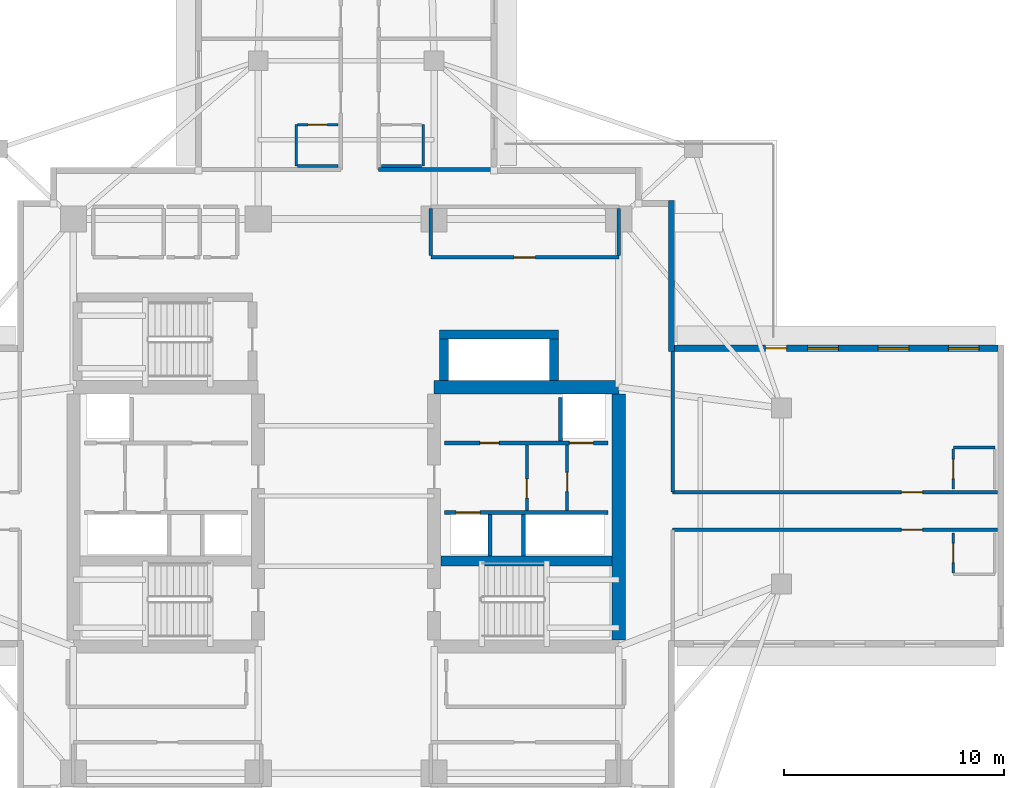
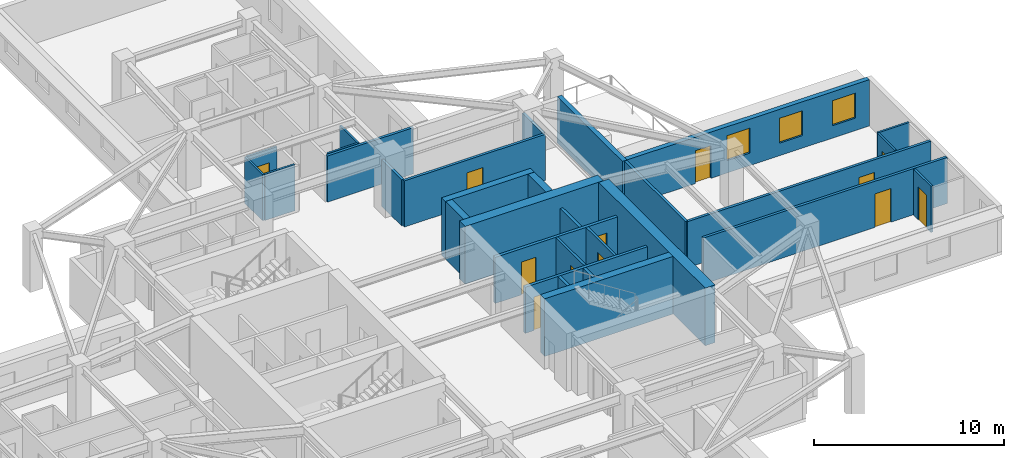
# One storey, part 6 of 13: 30 walls, 12 doors, 3 windows, 15 openings.
"""IFC4 building model written with IfcOpenShell, lengths in metres."""

from ifc_helpers import new_model, si_unit, direction, frame, frame_2d, origin, place, context, subcontext, project, spatial, rectangle, extrude, material, layer, layer_set, type_object, element, fill, save


model = new_model("IFC4")

# Units and contexts
model_context = context("Model", 3, precision=1e-05, world=origin(), true_north=direction((0.0, 1.0)))
body_context = subcontext(model_context, "Body", "Model", "MODEL_VIEW")
ifc_project = project(units=[si_unit("LENGTHUNIT", "METRE"), si_unit("AREAUNIT", "SQUARE_METRE"), si_unit("VOLUMEUNIT", "CUBIC_METRE"), si_unit("PLANEANGLEUNIT", "RADIAN"), si_unit("MASSUNIT", "GRAM", prefix="KILO")], contexts=[model_context])

# Site, building, storey
site_placement = place(None, origin())
site = spatial("IfcSite", under=ifc_project, at=site_placement, CompositionType="ELEMENT")
building_placement = place(site_placement, origin())
building = spatial("IfcBuilding", under=site, at=building_placement, Name="Qingluan Cross Belvedere", CompositionType="ELEMENT")
storey_placement = place(building_placement, frame((0.0, 0.0, 183.89990234375)))
storey = spatial("IfcBuildingStorey", under=building, at=storey_placement, Name="L46", CompositionType="ELEMENT", Elevation=183.89990234375)

# Walls
ifc_material_1 = material(Name="Concrete C50", Category="concrete")
ifc_layer_1 = layer(ifc_material_1, 0.449951171875, Name="CoreShearWall_450")
ifc_layer_set_1 = layer_set([ifc_layer_1], Name="Concrete C50")
wall_type_1 = type_object("IfcWallType", Name="CoreShearWall_450", PredefinedType="SHEAR", material=ifc_layer_set_1)
wall_1_placement = place(storey_placement, frame((4.304931640625, -2.9599609375, 0.0), z_axis=(0.0, 0.0, 1.0), x_axis=(1.0, 0.0, 0.0)))
element("IfcWall", 1, at=wall_1_placement, inside=storey, type_object=wall_type_1, Name="Split core E shear wall L46-M", PredefinedType="SHEAR", context=body_context, shape_type="SweptSolid", body=[
    extrude(rectangle(XDim=7.7900390625, YDim=0.449951171875, at=frame_2d((3.89501953125, 0.0))), origin(), (0.0, 0.0, 1.0), 3.7001953125),
])
wall_2_placement = place(storey_placement, frame((4.449951171875, 5.2548828125, 0.0), z_axis=(0.0, 0.0, 1.0), x_axis=(0.0, 1.0, 0.0)))
element("IfcWall", 2, at=wall_2_placement, inside=storey, type_object=wall_type_1, Name="Express shuttle core wall L46-W", PredefinedType="SHEAR", context=body_context, shape_type="SweptSolid", body=[
    extrude(rectangle(XDim=1.885009765625, YDim=0.39990234375, at=frame_2d((0.9423828125, 0.0))), origin(), (0.0, 0.0, 1.0), 3.7001953125),
])
wall_3_placement = place(storey_placement, frame((4.25, 7.35009765625, 0.0), z_axis=(0.0, 0.0, 1.0), x_axis=(1.0, 0.0, 0.0)))
element("IfcWall", 3, at=wall_3_placement, inside=storey, type_object=wall_type_1, Name="Express shuttle core wall L46-N", PredefinedType="SHEAR", context=body_context, shape_type="SweptSolid", body=[
    extrude(rectangle(XDim=5.39990234375, YDim=0.39990234375, at=frame_2d((2.699951171875, 0.0))), origin(), (0.0, 0.0, 1.0), 3.7001953125),
])
wall_4_placement = place(storey_placement, frame((9.449951171875, 5.2548828125, 0.0), z_axis=(0.0, 0.0, 1.0), x_axis=(0.0, 1.0, 0.0)))
element("IfcWall", 4, at=wall_4_placement, inside=storey, type_object=wall_type_1, Name="Express shuttle core wall L46-E", PredefinedType="SHEAR", context=body_context, shape_type="SweptSolid", body=[
    extrude(rectangle(XDim=1.885009765625, YDim=0.39990234375, at=frame_2d((0.9423828125, 0.0))), origin(), (0.0, 0.0, 1.0), 3.7001953125),
])
ifc_material_2 = material(Name="Concrete C60", Category="concrete")
ifc_layer_2 = layer(ifc_material_2, 0.60009765625, Name="CoreShearWall_600")
ifc_layer_set_2 = layer_set([ifc_layer_2], Name="Concrete C60")
wall_type_2 = type_object("IfcWallType", Name="CoreShearWall_600", PredefinedType="SHEAR", material=ifc_layer_set_2)
wall_5_placement = place(storey_placement, frame((4.0, 4.949951171875, 0.0), z_axis=(0.0, 0.0, 1.0), x_axis=(1.0, 0.0, 0.0)))
element("IfcWall", 5, at=wall_5_placement, inside=storey, type_object=wall_type_2, Name="Split core E shear wall L46-N", PredefinedType="SHEAR", context=body_context, shape_type="SweptSolid", body=[
    extrude(rectangle(XDim=8.39990234375, YDim=0.60009765625, at=frame_2d((4.199951171875, 0.0))), origin(), (0.0, 0.0, 1.0), 3.7001953125),
])
wall_6_placement = place(storey_placement, frame((12.39990234375, -6.544921875, 0.0), z_axis=(0.0, 0.0, 1.0), x_axis=(0.0, 1.0, 0.0)))
element("IfcWall", 6, at=wall_6_placement, inside=storey, type_object=wall_type_2, Name="Split core E shear wall L46-E", PredefinedType="SHEAR", context=body_context, shape_type="SweptSolid", body=[
    extrude(rectangle(XDim=11.18994140625, YDim=0.60009765625, at=frame_2d((5.594970703125, 0.0))), origin(), (0.0, 0.0, 1.0), 3.7001953125),
])

# Wall, opening, door
ifc_material_3 = material(Name="Gypsum plasterboard on steel stud acoustic partition", Category="steel")
ifc_layer_3 = layer(ifc_material_3, 0.159912109375, Name="CorridorPartition_160")
ifc_layer_set_3 = layer_set([ifc_layer_3], Name="Gypsum plasterboard on steel stud acoustic partition")
wall_type_3 = type_object("IfcWallType", Name="CorridorPartition_160", PredefinedType="PARTITIONING", material=ifc_layer_set_3)
wall_7_placement = place(storey_placement, frame((10.050048828125, -0.652099609375, 0.0), z_axis=(0.0, 0.0, 1.0), x_axis=(0.0, 1.0, 0.0)))
wall_7 = element("IfcWall", 7, at=wall_7_placement, inside=storey, type_object=wall_type_3, Name="Partition L46:ev", PredefinedType="PARTITIONING", context=body_context, shape_type="SweptSolid", body=[
    extrude(rectangle(XDim=2.962158203125, YDim=0.139892578125, at=frame_2d((1.48095703125, 0.0))), origin(), (0.0, 0.0, 1.0), 2.960205078125),
])
opening_1_placement = place(wall_7_placement, frame((0.85009765625, 0.0, 0.0)))
opening_1 = element("IfcOpeningElement", 8, at=opening_1_placement, cuts=wall_7, Name="Opening FD-B10", PredefinedType="OPENING", context=body_context, shape_type="SweptSolid", body=[
    extrude(rectangle(XDim=0.8798828125, YDim=2.10009765625, at=frame_2d((0.43994140625, 1.050048828125))), frame((0.0, 0.079833984375, 0.0), z_axis=(0.0, -1.0, 0.0), x_axis=(1.0, 0.0, 0.0)), (0.0, 0.0, 1.0), 0.159912109375),
])
ifc_material_4 = material(Name="Steel Class B service fire door", Category="steel")
door_type_1 = type_object("IfcDoorType", Name="RiserServiceFireDoor_FDB", OperationType="NOTDEFINED", PredefinedType="DOOR", material=ifc_material_4)
door_1_placement = place(opening_1_placement, origin())
door_1 = element("IfcDoor", 9, at=door_1_placement, inside=storey, type_object=door_type_1, Name="Service closet inner door L46", OperationType="SINGLE_SWING_RIGHT", OverallHeight=2.10009765625, OverallWidth=0.8798828125, PredefinedType="DOOR", context=body_context, shape_type="SweptSolid", body=[
    extrude(rectangle(XDim=0.8798828125, YDim=2.10009765625, at=frame_2d((0.43994140625, 1.050048828125))), frame((0.0, 0.02490234375, 0.0), z_axis=(0.0, -1.0, 0.0), x_axis=(1.0, 0.0, 0.0)), (0.0, 0.0, 1.0), 0.050048828125),
])
fill(opening_1, door_1)

wall_8_placement = place(storey_placement, frame((3.85009765625, 10.85009765625, 0.0), z_axis=(0.0, 0.0, 1.0), x_axis=(1.0, 0.0, 0.0)))
wall_8 = element("IfcWall", 10, at=wall_8_placement, inside=storey, type_object=wall_type_3, Name="Partition L46:q_ne:S", PredefinedType="PARTITIONING", context=body_context, shape_type="SweptSolid", body=[
    extrude(rectangle(XDim=8.5498046875, YDim=0.159912109375, at=frame_2d((4.27490234375, 0.0))), origin(), (0.0, 0.0, 1.0), 2.960205078125),
])
opening_2_placement = place(wall_8_placement, frame((3.794921875, 0.0, 0.0)))
opening_2 = element("IfcOpeningElement", 11, at=opening_2_placement, cuts=wall_8, Name="Opening GD-10", PredefinedType="OPENING", context=body_context, shape_type="SweptSolid", body=[
    extrude(rectangle(XDim=0.9599609375, YDim=2.14990234375, at=frame_2d((0.47998046875, 1.074951171875))), frame((0.0, 0.08984375, 0.0), z_axis=(0.0, -1.0, 0.0), x_axis=(1.0, 0.0, 0.0)), (0.0, 0.0, 1.0), 0.179931640625),
])
ifc_material_5 = material(Name="Timber oak fire-rated acoustic guestroom door", Category="wood")
door_type_2 = type_object("IfcDoorType", Name="GuestEntryDoor_FD60", OperationType="NOTDEFINED", PredefinedType="DOOR", material=ifc_material_5)
door_2_placement = place(opening_2_placement, origin())
door_2 = element("IfcDoor", 12, at=door_2_placement, inside=storey, type_object=door_type_2, Name="VIP diplomatic boardroom L46 door", OperationType="SINGLE_SWING_LEFT", OverallHeight=2.14990234375, OverallWidth=0.9599609375, PredefinedType="DOOR", context=body_context, shape_type="SweptSolid", body=[
    extrude(rectangle(XDim=0.9599609375, YDim=2.14990234375, at=frame_2d((0.47998046875, 1.074951171875))), frame((0.0, 0.02490234375, 0.0), z_axis=(0.0, -1.0, 0.0), x_axis=(1.0, 0.0, 0.0)), (0.0, 0.0, 1.0), 0.050048828125),
])
fill(opening_2, door_2)

# Walls
for number, where, z_axis, x_axis, name in (
    (13, (3.85009765625, 10.93505859375, 0.0), (0.0, 0.0, 1.0), (0.0, 1.0, 0.0), "Partition L46:q_ne:W"),
    (14, (12.39990234375, 10.93505859375, 0.0), (0.0, 0.0, 1.0), (0.0, 1.0, 0.0), "Partition L46:q_ne:E"),
):
    element("IfcWall", number, at=place(storey_placement, frame(where, z_axis=z_axis, x_axis=x_axis)), inside=storey, type_object=wall_type_3, Name=name, PredefinedType="PARTITIONING", context=body_context, shape_type="SweptSolid", body=[
        extrude(rectangle(XDim=2.1298828125, YDim=0.159912109375, at=frame_2d((1.06494140625, 0.0))), origin(), (0.0, 0.0, 1.0), 2.960205078125),
    ])

# Wall, opening, door
wall_9_placement = place(storey_placement, frame((14.85009765625, 0.179931640625, 0.0), z_axis=(0.0, 0.0, 1.0), x_axis=(1.0, 0.0, 0.0)))
wall_9 = element("IfcWall", 15, at=wall_9_placement, inside=storey, type_object=wall_type_3, Name="Partition L46:E:c0", PredefinedType="PARTITIONING", context=body_context, shape_type="SweptSolid", body=[
    extrude(rectangle(XDim=14.781982421875, YDim=0.159912109375, at=frame_2d((7.39111328125, 0.0))), origin(), (0.0, 0.0, 1.0), 2.960205078125),
])
opening_3_placement = place(wall_9_placement, frame((10.404052734375, 0.0, 0.0)))
opening_3 = element("IfcOpeningElement", 16, at=opening_3_placement, cuts=wall_9, Name="Opening GD-10", PredefinedType="OPENING", context=body_context, shape_type="SweptSolid", body=[
    extrude(rectangle(XDim=0.9599609375, YDim=2.14990234375, at=frame_2d((0.47998046875, 1.074951171875))), frame((0.0, 0.08984375, 0.0), z_axis=(0.0, -1.0, 0.0), x_axis=(1.0, 0.0, 0.0)), (0.0, 0.0, 1.0), 0.179931640625),
])
door_3_placement = place(opening_3_placement, origin())
door_3 = element("IfcDoor", 17, at=door_3_placement, inside=storey, type_object=door_type_2, Name="Guest entry fire door 4601", OperationType="SINGLE_SWING_RIGHT", OverallHeight=2.14990234375, OverallWidth=0.9599609375, PredefinedType="DOOR", context=body_context, shape_type="SweptSolid", body=[
    extrude(rectangle(XDim=0.9599609375, YDim=2.14990234375, at=frame_2d((0.47998046875, 1.074951171875))), frame((0.0, 0.02490234375, 0.0), z_axis=(0.0, -1.0, 0.0), x_axis=(1.0, 0.0, 0.0)), (0.0, 0.0, 1.0), 0.050048828125),
])
fill(opening_3, door_3)

# Wall
wall_10_placement = place(storey_placement, frame((14.85009765625, 0.179931640625, 0.0), z_axis=(0.0, 0.0, 1.0), x_axis=(0.0, 1.0, 0.0)))
element("IfcWall", 18, at=wall_10_placement, inside=storey, type_object=wall_type_3, Name="Partition L46:E:s0", PredefinedType="PARTITIONING", context=body_context, shape_type="SweptSolid", body=[
    extrude(rectangle(XDim=6.39208984375, YDim=0.159912109375, at=frame_2d((3.196044921875, 0.0))), origin(), (0.0, 0.0, 1.0), 2.960205078125),
])

# Wall, opening, door
wall_11_placement = place(storey_placement, frame((14.85009765625, -1.5400390625, 0.0), z_axis=(0.0, 0.0, 1.0), x_axis=(1.0, 0.0, 0.0)))
wall_11 = element("IfcWall", 19, at=wall_11_placement, inside=storey, type_object=wall_type_3, Name="Partition L46:E:c1", PredefinedType="PARTITIONING", context=body_context, shape_type="SweptSolid", body=[
    extrude(rectangle(XDim=14.781982421875, YDim=0.159912109375, at=frame_2d((7.39111328125, 0.0))), origin(), (0.0, 0.0, 1.0), 2.960205078125),
])
opening_4_placement = place(wall_11_placement, frame((10.404052734375, 0.0, 0.0)))
opening_4 = element("IfcOpeningElement", 20, at=opening_4_placement, cuts=wall_11, Name="Opening GD-10", PredefinedType="OPENING", context=body_context, shape_type="SweptSolid", body=[
    extrude(rectangle(XDim=0.9599609375, YDim=2.14990234375, at=frame_2d((0.47998046875, 1.074951171875))), frame((0.0, 0.08984375, 0.0), z_axis=(0.0, -1.0, 0.0), x_axis=(1.0, 0.0, 0.0)), (0.0, 0.0, 1.0), 0.179931640625),
])
door_4_placement = place(opening_4_placement, origin())
door_4 = element("IfcDoor", 21, at=door_4_placement, inside=storey, type_object=door_type_2, Name="Guest entry fire door 4602", OperationType="SINGLE_SWING_RIGHT", OverallHeight=2.14990234375, OverallWidth=0.9599609375, PredefinedType="DOOR", context=body_context, shape_type="SweptSolid", body=[
    extrude(rectangle(XDim=0.9599609375, YDim=2.14990234375, at=frame_2d((0.47998046875, 1.074951171875))), frame((0.0, 0.02490234375, 0.0), z_axis=(0.0, -1.0, 0.0), x_axis=(1.0, 0.0, 0.0)), (0.0, 0.0, 1.0), 0.050048828125),
])
fill(opening_4, door_4)

# Wall
wall_12_placement = place(storey_placement, frame((1.47998046875, 14.85009765625, 0.0), z_axis=(0.0, 0.0, 1.0), x_axis=(1.0, 0.0, 0.0)))
element("IfcWall", 22, at=wall_12_placement, inside=storey, type_object=wall_type_3, Name="Partition L46:N:s0", PredefinedType="PARTITIONING", context=body_context, shape_type="SweptSolid", body=[
    extrude(rectangle(XDim=5.239990234375, YDim=0.159912109375, at=frame_2d((2.6201171875, 0.0))), origin(), (0.0, 0.0, 1.0), 2.960205078125),
])

# Wall, opening, door
ifc_material_6 = material(Name="Moisture-resistant gypsum board lining")
ifc_layer_4 = layer(ifc_material_6, 0.1201171875, Name="EnsuiteWetPartition_120")
ifc_layer_set_4 = layer_set([ifc_layer_4], Name="Moisture-resistant gypsum board lining")
wall_type_4 = type_object("IfcWallType", Name="EnsuiteWetPartition_120", PredefinedType="PARTITIONING", material=ifc_layer_set_4)
wall_13_placement = place(storey_placement, frame((27.6201171875, 0.320068359375, 0.0), z_axis=(0.0, 0.0, 1.0), x_axis=(0.0, 1.0, 0.0)))
wall_13 = element("IfcWall", 23, at=wall_13_placement, inside=storey, type_object=wall_type_4, Name="Partition L46:E:bs0_0", PredefinedType="PARTITIONING", context=body_context, shape_type="SweptSolid", body=[
    extrude(rectangle(XDim=1.81982421875, YDim=0.1201171875, at=frame_2d((0.909912109375, 0.0))), origin(), (0.0, 0.0, 1.0), 2.960205078125),
])
opening_5_placement = place(wall_13_placement, frame((0.469970703125, 0.0, 0.0)))
opening_5 = element("IfcOpeningElement", 24, at=opening_5_placement, cuts=wall_13, Name="Opening BD-09", PredefinedType="OPENING", context=body_context, shape_type="SweptSolid", body=[
    extrude(rectangle(XDim=0.8798828125, YDim=2.10009765625, at=frame_2d((0.43994140625, 1.050048828125))), frame((0.0, 0.070068359375, 0.0), z_axis=(0.0, -1.0, 0.0), x_axis=(1.0, 0.0, 0.0)), (0.0, 0.0, 1.0), 0.14013671875),
])
ifc_material_7 = material(Name="Moisture-sealed timber en-suite door", Category="wood")
door_type_3 = type_object("IfcDoorType", Name="BathroomDoor_880", OperationType="NOTDEFINED", PredefinedType="DOOR", material=ifc_material_7)
door_5_placement = place(opening_5_placement, origin())
door_5 = element("IfcDoor", 25, at=door_5_placement, inside=storey, type_object=door_type_3, Name="Bathroom door 4601", OperationType="SINGLE_SWING_LEFT", OverallHeight=2.10009765625, OverallWidth=0.8798828125, PredefinedType="DOOR", context=body_context, shape_type="SweptSolid", body=[
    extrude(rectangle(XDim=0.8798828125, YDim=2.10009765625, at=frame_2d((0.43994140625, 1.050048828125))), frame((0.0, 0.02490234375, 0.0), z_axis=(0.0, -1.0, 0.0), x_axis=(1.0, 0.0, 0.0)), (0.0, 0.0, 1.0), 0.050048828125),
])
fill(opening_5, door_5)

# Wall
wall_14_placement = place(storey_placement, frame((27.6201171875, 2.205078125, 0.0), z_axis=(0.0, 0.0, 1.0), x_axis=(1.0, 0.0, 0.0)))
element("IfcWall", 26, at=wall_14_placement, inside=storey, type_object=wall_type_4, Name="Partition L46:E:bn0_0", PredefinedType="PARTITIONING", context=body_context, shape_type="SweptSolid", body=[
    extrude(rectangle(XDim=1.8798828125, YDim=0.1201171875, at=frame_2d((0.93994140625, 0.0))), origin(), (0.0, 0.0, 1.0), 2.960205078125),
])

# Wall, opening, door
wall_15_placement = place(storey_placement, frame((27.6201171875, -3.5, 0.0), z_axis=(0.0, 0.0, 1.0), x_axis=(0.0, 1.0, 0.0)))
wall_15 = element("IfcWall", 27, at=wall_15_placement, inside=storey, type_object=wall_type_4, Name="Partition L46:E:bs1_0", PredefinedType="PARTITIONING", context=body_context, shape_type="SweptSolid", body=[
    extrude(rectangle(XDim=1.820068359375, YDim=0.1201171875, at=frame_2d((0.91015625, 0.0))), origin(), (0.0, 0.0, 1.0), 2.960205078125),
])
opening_6_placement = place(wall_15_placement, frame((0.469970703125, 0.0, 0.0)))
opening_6 = element("IfcOpeningElement", 28, at=opening_6_placement, cuts=wall_15, Name="Opening BD-09", PredefinedType="OPENING", context=body_context, shape_type="SweptSolid", body=[
    extrude(rectangle(XDim=0.8798828125, YDim=2.10009765625, at=frame_2d((0.43994140625, 1.050048828125))), frame((0.0, 0.070068359375, 0.0), z_axis=(0.0, -1.0, 0.0), x_axis=(1.0, 0.0, 0.0)), (0.0, 0.0, 1.0), 0.14013671875),
])
door_6_placement = place(opening_6_placement, origin())
door_6 = element("IfcDoor", 29, at=door_6_placement, inside=storey, type_object=door_type_3, Name="Bathroom door 4602", OperationType="SINGLE_SWING_LEFT", OverallHeight=2.10009765625, OverallWidth=0.8798828125, PredefinedType="DOOR", context=body_context, shape_type="SweptSolid", body=[
    extrude(rectangle(XDim=0.8798828125, YDim=2.10009765625, at=frame_2d((0.43994140625, 1.050048828125))), frame((0.0, 0.02490234375, 0.0), z_axis=(0.0, -1.0, 0.0), x_axis=(1.0, 0.0, 0.0)), (0.0, 0.0, 1.0), 0.050048828125),
])
fill(opening_6, door_6)

# Walls
wall_16_placement = place(storey_placement, frame((1.6201171875, 15.010009765625, 0.0), z_axis=(0.0, 0.0, 1.0), x_axis=(1.0, 0.0, 0.0)))
element("IfcWall", 30, at=wall_16_placement, inside=storey, type_object=wall_type_4, Name="Partition L46:N:bw0_0", PredefinedType="PARTITIONING", context=body_context, shape_type="SweptSolid", body=[
    extrude(rectangle(XDim=1.81982421875, YDim=0.1201171875, at=frame_2d((0.909912109375, 0.0))), origin(), (0.0, 0.0, 1.0), 2.960205078125),
])
wall_17_placement = place(storey_placement, frame((3.5048828125, 15.010009765625, 0.0), z_axis=(0.0, 0.0, 1.0), x_axis=(0.0, 1.0, 0.0)))
element("IfcWall", 31, at=wall_17_placement, inside=storey, type_object=wall_type_4, Name="Partition L46:N:bn0_0", PredefinedType="PARTITIONING", context=body_context, shape_type="SweptSolid", body=[
    extrude(rectangle(XDim=1.8798828125, YDim=0.1201171875, at=frame_2d((0.93994140625, 0.0))), origin(), (0.0, 0.0, 1.0), 2.960205078125),
])

# Wall, opening, door
wall_18_placement = place(storey_placement, frame((-2.199951171875, 16.889892578125, 0.0), z_axis=(0.0, 0.0, 1.0), x_axis=(1.0, 0.0, 0.0)))
wall_18 = element("IfcWall", 32, at=wall_18_placement, inside=storey, type_object=wall_type_4, Name="Partition L46:N:bs1_0", PredefinedType="PARTITIONING", context=body_context, shape_type="SweptSolid", body=[
    extrude(rectangle(XDim=1.820068359375, YDim=0.1201171875, at=frame_2d((0.91015625, 0.0))), origin(), (0.0, 0.0, 1.0), 2.960205078125),
])
opening_7_placement = place(wall_18_placement, frame((0.469970703125, 0.0, 0.0)))
opening_7 = element("IfcOpeningElement", 33, at=opening_7_placement, cuts=wall_18, Name="Opening BD-09", PredefinedType="OPENING", context=body_context, shape_type="SweptSolid", body=[
    extrude(rectangle(XDim=0.8798828125, YDim=2.10009765625, at=frame_2d((0.43994140625, 1.050048828125))), frame((0.0, 0.070068359375, 0.0), z_axis=(0.0, -1.0, 0.0), x_axis=(1.0, 0.0, 0.0)), (0.0, 0.0, 1.0), 0.14013671875),
])
door_7_placement = place(opening_7_placement, origin())
door_7 = element("IfcDoor", 34, at=door_7_placement, inside=storey, type_object=door_type_3, Name="Bathroom door 4607", OperationType="SINGLE_SWING_LEFT", OverallHeight=2.10009765625, OverallWidth=0.8798828125, PredefinedType="DOOR", context=body_context, shape_type="SweptSolid", body=[
    extrude(rectangle(XDim=0.8798828125, YDim=2.10009765625, at=frame_2d((0.43994140625, 1.050048828125))), frame((0.0, 0.02490234375, 0.0), z_axis=(0.0, -1.0, 0.0), x_axis=(1.0, 0.0, 0.0)), (0.0, 0.0, 1.0), 0.050048828125),
])
fill(opening_7, door_7)

# Walls
wall_19_placement = place(storey_placement, frame((-2.199951171875, 15.010009765625, 0.0), z_axis=(0.0, 0.0, 1.0), x_axis=(1.0, 0.0, 0.0)))
element("IfcWall", 35, at=wall_19_placement, inside=storey, type_object=wall_type_4, Name="Partition L46:N:bw1_0", PredefinedType="PARTITIONING", context=body_context, shape_type="SweptSolid", body=[
    extrude(rectangle(XDim=1.820068359375, YDim=0.1201171875, at=frame_2d((0.91015625, 0.0))), origin(), (0.0, 0.0, 1.0), 2.960205078125),
])
wall_20_placement = place(storey_placement, frame((-2.264892578125, 15.010009765625, 0.0), z_axis=(0.0, 0.0, 1.0), x_axis=(0.0, 1.0, 0.0)))
element("IfcWall", 36, at=wall_20_placement, inside=storey, type_object=wall_type_4, Name="Partition L46:N:bc1_0", PredefinedType="PARTITIONING", context=body_context, shape_type="SweptSolid", body=[
    extrude(rectangle(XDim=1.8798828125, YDim=0.1201171875, at=frame_2d((0.93994140625, 0.0))), origin(), (0.0, 0.0, 1.0), 2.960205078125),
])

# Wall, openings, windows, door
ifc_material_8 = material(Name="Precast concrete C45", Category="concrete")
ifc_layer_5 = layer(ifc_material_8, 0.280029296875, Name="PrecastFacadeWall_280")
ifc_layer_set_5 = layer_set([ifc_layer_5], Name="Precast concrete C45")
wall_type_5 = type_object("IfcWallType", Name="PrecastFacadeWall_280", PredefinedType="STANDARD", material=ifc_layer_set_5)
wall_21_placement = place(storey_placement, frame((29.639892578125, 6.719970703125, 0.0), z_axis=(0.0, 0.0, 1.0), x_axis=(-1.0, 0.0, 0.0)))
wall_21 = element("IfcWall", 37, at=wall_21_placement, inside=storey, type_object=wall_type_5, Name="Facade wall L46-EB", PredefinedType="STANDARD", context=body_context, shape_type="SweptSolid", body=[
    extrude(rectangle(XDim=14.699951171875, YDim=0.280029296875, at=frame_2d((7.35009765625, 0.0))), origin(), (0.0, 0.0, 1.0), 2.97021484375),
])
opening_8_placement = place(wall_21_placement, frame((0.85009765625, 0.0, 0.800048828125)))
opening_8 = element("IfcOpeningElement", 38, at=opening_8_placement, cuts=wall_21, Name="Opening W-01", PredefinedType="OPENING", context=body_context, shape_type="SweptSolid", body=[
    extrude(rectangle(XDim=1.39990234375, YDim=1.60009765625, at=frame_2d((0.699951171875, 0.800048828125))), frame((0.0, 0.14990234375, 0.0), z_axis=(0.0, -1.0, 0.0), x_axis=(1.0, 0.0, 0.0)), (0.0, 0.0, 1.0), 0.300048828125),
])
opening_9_placement = place(wall_21_placement, frame((4.050048828125, 0.0, 0.800048828125)))
opening_9 = element("IfcOpeningElement", 39, at=opening_9_placement, cuts=wall_21, Name="Opening W-01", PredefinedType="OPENING", context=body_context, shape_type="SweptSolid", body=[
    extrude(rectangle(XDim=1.39990234375, YDim=1.60009765625, at=frame_2d((0.699951171875, 0.800048828125))), frame((0.0, 0.14990234375, 0.0), z_axis=(0.0, -1.0, 0.0), x_axis=(1.0, 0.0, 0.0)), (0.0, 0.0, 1.0), 0.300048828125),
])
opening_10_placement = place(wall_21_placement, frame((7.25, 0.0, 0.800048828125)))
opening_10 = element("IfcOpeningElement", 40, at=opening_10_placement, cuts=wall_21, Name="Opening W-01", PredefinedType="OPENING", context=body_context, shape_type="SweptSolid", body=[
    extrude(rectangle(XDim=1.39990234375, YDim=1.60009765625, at=frame_2d((0.699951171875, 0.800048828125))), frame((0.0, 0.14990234375, 0.0), z_axis=(0.0, -1.0, 0.0), x_axis=(1.0, 0.0, 0.0)), (0.0, 0.0, 1.0), 0.300048828125),
])
opening_11_placement = place(wall_21_placement, frame((9.60009765625, 0.0, 0.0)))
opening_11 = element("IfcOpeningElement", 41, at=opening_11_placement, cuts=wall_21, Name="Opening WD-10", PredefinedType="OPENING", context=body_context, shape_type="SweptSolid", body=[
    extrude(rectangle(XDim=0.9599609375, YDim=2.10009765625, at=frame_2d((0.47998046875, 1.050048828125))), frame((0.0, 0.14990234375, 0.0), z_axis=(0.0, -1.0, 0.0), x_axis=(1.0, 0.0, 0.0)), (0.0, 0.0, 1.0), 0.300048828125),
])
ifc_material_9 = material(Name="Thermally broken triple Low-E glass in aluminium frame", Category="aluminium")
window_type = type_object("IfcWindowType", Name="TriRibbonWin_1400x1600", PartitioningType="SINGLE_PANEL", PredefinedType="WINDOW", material=ifc_material_9)
window_1_placement = place(opening_8_placement, origin())
window_1 = element("IfcWindow", 42, at=window_1_placement, inside=storey, type_object=window_type, Name="Ribbon window L46-EB-1", OverallHeight=1.60009765625, OverallWidth=1.39990234375, PartitioningType="SINGLE_PANEL", PredefinedType="WINDOW", context=body_context, shape_type="SweptSolid", body=[
    extrude(rectangle(XDim=1.39990234375, YDim=1.60009765625, at=frame_2d((0.699951171875, 0.800048828125))), frame((0.0, 0.030029296875, 0.0), z_axis=(0.0, -1.0, 0.0), x_axis=(1.0, 0.0, 0.0)), (0.0, 0.0, 1.0), 0.06005859375),
])
fill(opening_8, window_1)
window_2_placement = place(opening_9_placement, origin())
window_2 = element("IfcWindow", 43, at=window_2_placement, inside=storey, type_object=window_type, Name="Ribbon window L46-EB-2", OverallHeight=1.60009765625, OverallWidth=1.39990234375, PartitioningType="SINGLE_PANEL", PredefinedType="WINDOW", context=body_context, shape_type="SweptSolid", body=[
    extrude(rectangle(XDim=1.39990234375, YDim=1.60009765625, at=frame_2d((0.699951171875, 0.800048828125))), frame((0.0, 0.030029296875, 0.0), z_axis=(0.0, -1.0, 0.0), x_axis=(1.0, 0.0, 0.0)), (0.0, 0.0, 1.0), 0.06005859375),
])
fill(opening_9, window_2)
window_3_placement = place(opening_10_placement, origin())
window_3 = element("IfcWindow", 44, at=window_3_placement, inside=storey, type_object=window_type, Name="Ribbon window L46-EB-3", OverallHeight=1.60009765625, OverallWidth=1.39990234375, PartitioningType="SINGLE_PANEL", PredefinedType="WINDOW", context=body_context, shape_type="SweptSolid", body=[
    extrude(rectangle(XDim=1.39990234375, YDim=1.60009765625, at=frame_2d((0.699951171875, 0.800048828125))), frame((0.0, 0.030029296875, 0.0), z_axis=(0.0, -1.0, 0.0), x_axis=(1.0, 0.0, 0.0)), (0.0, 0.0, 1.0), 0.06005859375),
])
fill(opening_10, window_3)
ifc_material_10 = material(Name="Thermally broken aluminium and Low-E glass", Category="aluminium")
door_type_4 = type_object("IfcDoorType", Name="WinterGardenDoor_096", OperationType="NOTDEFINED", PredefinedType="DOOR", material=ifc_material_10)
door_8_placement = place(opening_11_placement, origin())
door_8 = element("IfcDoor", 45, at=door_8_placement, inside=storey, type_object=door_type_4, Name="Outdoor terrace access door L46-spi", OperationType="SINGLE_SWING_LEFT", OverallHeight=2.10009765625, OverallWidth=0.9599609375, PredefinedType="DOOR", context=body_context, shape_type="SweptSolid", body=[
    extrude(rectangle(XDim=0.9599609375, YDim=2.10009765625, at=frame_2d((0.47998046875, 1.050048828125))), frame((0.0, 0.02490234375, 0.0), z_axis=(0.0, -1.0, 0.0), x_axis=(1.0, 0.0, 0.0)), (0.0, 0.0, 1.0), 0.050048828125),
])
fill(opening_11, door_8)

# Wall
wall_22_placement = place(storey_placement, frame((14.800048828125, 6.580078125, 0.0), z_axis=(0.0, 0.0, 1.0), x_axis=(0.0, 1.0, 0.0)))
element("IfcWall", 46, at=wall_22_placement, inside=storey, type_object=wall_type_5, Name="Corner wall L46-NE1", PredefinedType="STANDARD", context=body_context, shape_type="SweptSolid", body=[
    extrude(rectangle(XDim=6.85986328125, YDim=0.280029296875, at=frame_2d((3.429931640625, 0.0))), origin(), (0.0, 0.0, 1.0), 2.97021484375),
])

# Wall, openings, doors
ifc_material_11 = material(Name="Concrete C40", Category="concrete")
ifc_layer_6 = layer(ifc_material_11, 0.219970703125, Name="ShaftEnclosureWall_250")
ifc_layer_set_6 = layer_set([ifc_layer_6], Name="Concrete C40")
wall_type_6 = type_object("IfcWallType", Name="ShaftEnclosureWall_250", PredefinedType="SOLIDWALL", material=ifc_layer_set_6)
wall_23_placement = place(storey_placement, frame((4.47998046875, 2.409912109375, 0.0), z_axis=(0.0, 0.0, 1.0), x_axis=(1.0, 0.0, 0.0)))
wall_23 = element("IfcWall", 47, at=wall_23_placement, inside=storey, type_object=wall_type_6, Name="Core-E north hoistway wall L46", PredefinedType="SOLIDWALL", context=body_context, shape_type="SweptSolid", body=[
    extrude(rectangle(XDim=7.419921875, YDim=0.179931640625, at=frame_2d((3.7099609375, 0.0))), origin(), (0.0, 0.0, 1.0), 2.960205078125),
])
opening_12_placement = place(wall_23_placement, frame((5.669921875, 0.0, 0.0)))
opening_12 = element("IfcOpeningElement", 48, at=opening_12_placement, cuts=wall_23, Name="Opening LD-11", PredefinedType="OPENING", context=body_context, shape_type="SweptSolid", body=[
    extrude(rectangle(XDim=1.10009765625, YDim=2.14990234375, at=frame_2d((0.550048828125, 1.074951171875))), frame((0.0, 0.099853515625, 0.0), z_axis=(0.0, -1.0, 0.0), x_axis=(1.0, 0.0, 0.0)), (0.0, 0.0, 1.0), 0.199951171875),
])
opening_13_placement = place(wall_23_placement, frame((1.60009765625, 0.0, 0.0)))
opening_13 = element("IfcOpeningElement", 49, at=opening_13_placement, cuts=wall_23, Name="Opening FD-B10", PredefinedType="OPENING", context=body_context, shape_type="SweptSolid", body=[
    extrude(rectangle(XDim=0.8798828125, YDim=2.10009765625, at=frame_2d((0.43994140625, 1.050048828125))), frame((0.0, 0.099853515625, 0.0), z_axis=(0.0, -1.0, 0.0), x_axis=(1.0, 0.0, 0.0)), (0.0, 0.0, 1.0), 0.199951171875),
])
ifc_material_12 = material(Name="Brushed stainless steel centre-opening lift landing door", Category="steel")
door_type_5 = type_object("IfcDoorType", Name="LiftLandingSlidingDoor_1100", OperationType="DOUBLE_DOOR_SLIDING", PredefinedType="DOOR", material=ifc_material_12)
door_9_placement = place(opening_12_placement, origin())
door_9 = element("IfcDoor", 50, at=door_9_placement, inside=storey, type_object=door_type_5, Name="Lift landing sliding door FL2 L46", OperationType="DOUBLE_DOOR_SLIDING", OverallHeight=2.14990234375, OverallWidth=1.10009765625, PredefinedType="DOOR", context=body_context, shape_type="SweptSolid", body=[
    extrude(rectangle(XDim=1.10009765625, YDim=2.14990234375, at=frame_2d((0.550048828125, 1.074951171875))), frame((0.0, 0.02490234375, 0.0), z_axis=(0.0, -1.0, 0.0), x_axis=(1.0, 0.0, 0.0)), (0.0, 0.0, 1.0), 0.050048828125),
])
fill(opening_12, door_9)
door_10_placement = place(opening_13_placement, origin())
door_10 = element("IfcDoor", 51, at=door_10_placement, inside=storey, type_object=door_type_1, Name="Pantry room door E L46", OperationType="SINGLE_SWING_RIGHT", OverallHeight=2.10009765625, OverallWidth=0.8798828125, PredefinedType="DOOR", context=body_context, shape_type="SweptSolid", body=[
    extrude(rectangle(XDim=0.8798828125, YDim=2.10009765625, at=frame_2d((0.43994140625, 1.050048828125))), frame((0.0, 0.02490234375, 0.0), z_axis=(0.0, -1.0, 0.0), x_axis=(1.0, 0.0, 0.0)), (0.0, 0.0, 1.0), 0.050048828125),
])
fill(opening_13, door_10)

# Wall, opening, door
wall_24_placement = place(storey_placement, frame((4.47998046875, -0.75, 0.0), z_axis=(0.0, 0.0, 1.0), x_axis=(1.0, 0.0, 0.0)))
wall_24 = element("IfcWall", 52, at=wall_24_placement, inside=storey, type_object=wall_type_6, Name="Core-E mid hoistway wall L46", PredefinedType="SOLIDWALL", context=body_context, shape_type="SweptSolid", body=[
    extrude(rectangle(XDim=7.419921875, YDim=0.179931640625, at=frame_2d((3.7099609375, 0.0))), origin(), (0.0, 0.0, 1.0), 2.960205078125),
])
opening_14_placement = place(wall_24_placement, frame((0.52001953125, 0.0, 0.0)))
opening_14 = element("IfcOpeningElement", 53, at=opening_14_placement, cuts=wall_24, Name="Opening LD-11", PredefinedType="OPENING", context=body_context, shape_type="SweptSolid", body=[
    extrude(rectangle(XDim=1.10009765625, YDim=2.14990234375, at=frame_2d((0.550048828125, 1.074951171875))), frame((0.0, 0.099853515625, 0.0), z_axis=(0.0, -1.0, 0.0), x_axis=(1.0, 0.0, 0.0)), (0.0, 0.0, 1.0), 0.199951171875),
])
door_11_placement = place(opening_14_placement, origin())
door_11 = element("IfcDoor", 54, at=door_11_placement, inside=storey, type_object=door_type_5, Name="Lift landing sliding door LP7 L46", OperationType="DOUBLE_DOOR_SLIDING", OverallHeight=2.14990234375, OverallWidth=1.10009765625, PredefinedType="DOOR", context=body_context, shape_type="SweptSolid", body=[
    extrude(rectangle(XDim=1.10009765625, YDim=2.14990234375, at=frame_2d((0.550048828125, 1.074951171875))), frame((0.0, 0.02490234375, 0.0), z_axis=(0.0, -1.0, 0.0), x_axis=(1.0, 0.0, 0.0)), (0.0, 0.0, 1.0), 0.050048828125),
])
fill(opening_14, door_11)

# Walls
wall_25_placement = place(storey_placement, frame((9.760009765625, 2.5, 0.0), z_axis=(0.0, 0.0, 1.0), x_axis=(0.0, 1.0, 0.0)))
element("IfcWall", 55, at=wall_25_placement, inside=storey, type_object=wall_type_6, Name="Hoistway enclosure divider FL2W L46", PredefinedType="SOLIDWALL", context=body_context, shape_type="SweptSolid", body=[
    extrude(rectangle(XDim=1.989990234375, YDim=0.179931640625, at=frame_2d((0.9951171875, 0.0))), origin(), (0.0, 0.0, 1.0), 2.960205078125),
])
for number, where, z_axis, x_axis, name in (
    (56, (6.5400390625, -2.72998046875, 0.0), (0.0, 0.0, 1.0), (0.0, 1.0, 0.0), "Hoistway enclosure divider LP7E L46"),
    (57, (8.06005859375, -2.72998046875, 0.0), (0.0, 0.0, 1.0), (0.0, 1.0, 0.0), "Hoistway enclosure divider LP9W L46"),
):
    element("IfcWall", number, at=place(storey_placement, frame(where, z_axis=z_axis, x_axis=x_axis)), inside=storey, type_object=wall_type_6, Name=name, PredefinedType="SOLIDWALL", context=body_context, shape_type="SweptSolid", body=[
        extrude(rectangle(XDim=1.889892578125, YDim=0.179931640625, at=frame_2d((0.94482421875, 0.0))), origin(), (0.0, 0.0, 1.0), 2.960205078125),
    ])

# Wall, opening, door
wall_26_placement = place(storey_placement, frame((8.219970703125, -0.64990234375, 0.0), z_axis=(0.0, 0.0, 1.0), x_axis=(0.0, 1.0, 0.0)))
wall_26 = element("IfcWall", 58, at=wall_26_placement, inside=storey, type_object=wall_type_6, Name="Core-E service corridor wall L46", PredefinedType="SOLIDWALL", context=body_context, shape_type="SweptSolid", body=[
    extrude(rectangle(XDim=2.9599609375, YDim=0.139892578125, at=frame_2d((1.47998046875, 0.0))), origin(), (0.0, 0.0, 1.0), 2.960205078125),
])
opening_15_placement = place(wall_26_placement, frame((0.550048828125, 0.0, 0.0)))
opening_15 = element("IfcOpeningElement", 59, at=opening_15_placement, cuts=wall_26, Name="Opening FD-B10", PredefinedType="OPENING", context=body_context, shape_type="SweptSolid", body=[
    extrude(rectangle(XDim=0.8798828125, YDim=2.10009765625, at=frame_2d((0.43994140625, 1.050048828125))), frame((0.0, 0.079833984375, 0.0), z_axis=(0.0, -1.0, 0.0), x_axis=(1.0, 0.0, 0.0)), (0.0, 0.0, 1.0), 0.159912109375),
])
door_12_placement = place(opening_15_placement, origin())
door_12 = element("IfcDoor", 60, at=door_12_placement, inside=storey, type_object=door_type_1, Name="Core-E service room door L46", OperationType="SINGLE_SWING_RIGHT", OverallHeight=2.10009765625, OverallWidth=0.8798828125, PredefinedType="DOOR", context=body_context, shape_type="SweptSolid", body=[
    extrude(rectangle(XDim=0.8798828125, YDim=2.10009765625, at=frame_2d((0.43994140625, 1.050048828125))), frame((0.0, 0.02490234375, 0.0), z_axis=(0.0, -1.0, 0.0), x_axis=(1.0, 0.0, 0.0)), (0.0, 0.0, 1.0), 0.050048828125),
])
fill(opening_15, door_12)

save(model, "model.ifc")
